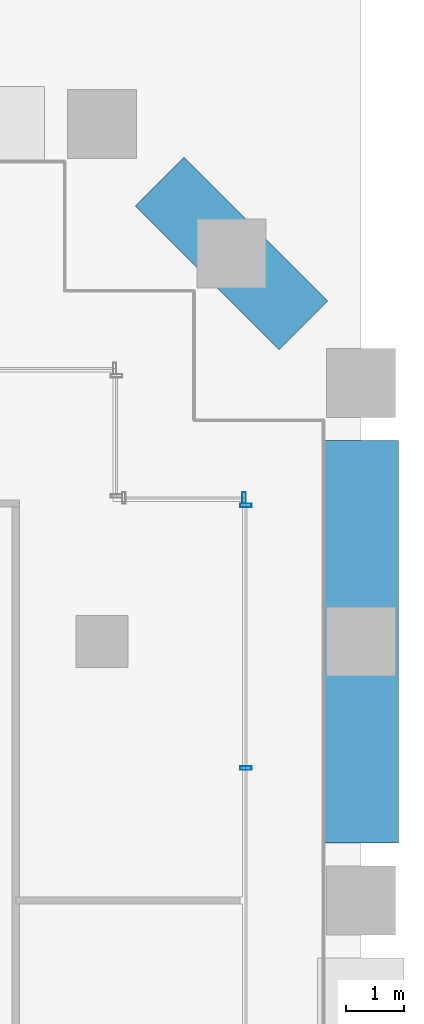
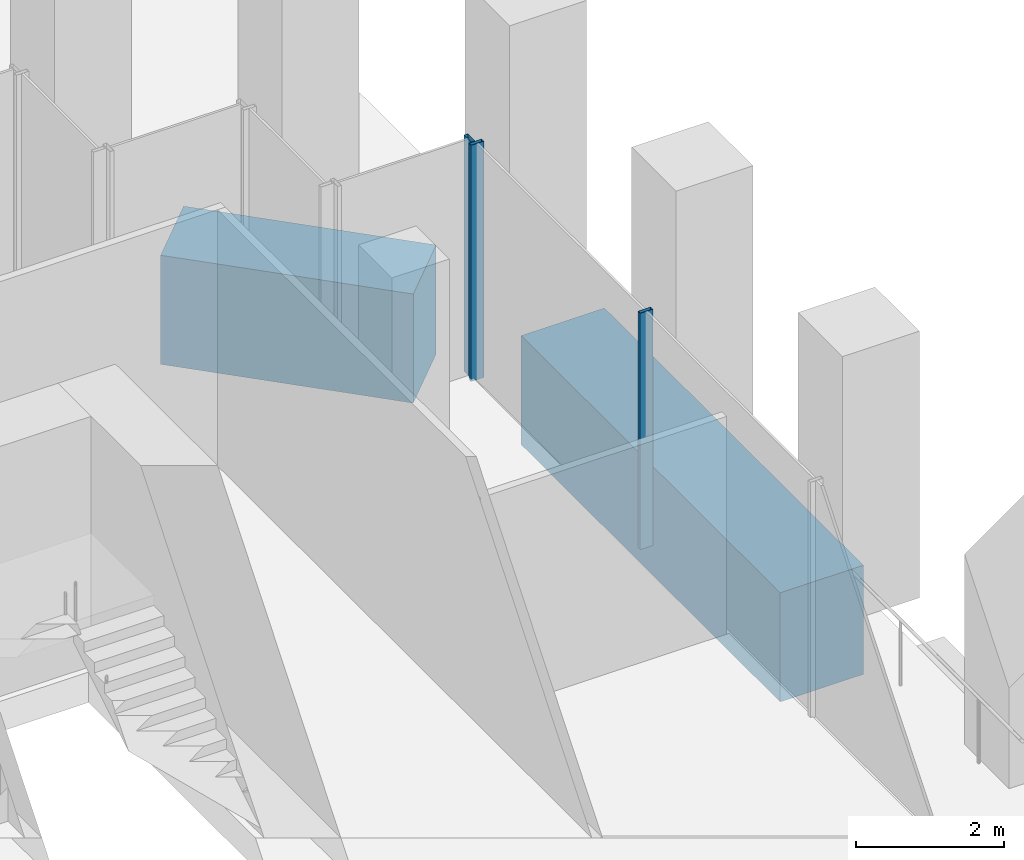
# One storey, part 22 of 32: 3 members, 2 beams, 2 elements without a shape of their own.
"""IFC4 building model written with IfcOpenShell, lengths in metres."""

from ifc_helpers import new_model, si_unit, direction, frame, origin, origin_2d, place, context, subcontext, project, spatial, rectangle, hollow_rectangle, extrude, material, material_profile, profile_set, type_object, element, aggregate, save


model = new_model("IFC4")

# Units and contexts
model_context = context("Model", 3, precision=1e-05, world=origin(), true_north=direction((0.0, 1.0)))
body_context = subcontext(model_context, "Body", "Model", "MODEL_VIEW")
ifc_project = project(units=[si_unit("LENGTHUNIT", "METRE"), si_unit("AREAUNIT", "SQUARE_METRE"), si_unit("VOLUMEUNIT", "CUBIC_METRE"), si_unit("PLANEANGLEUNIT", "RADIAN"), si_unit("MASSUNIT", "GRAM", prefix="KILO")], contexts=[model_context])

# Site, building, storey
site_placement = place(None, origin())
site = spatial("IfcSite", under=ifc_project, at=site_placement, CompositionType="ELEMENT")
building_placement = place(site_placement, origin())
building = spatial("IfcBuilding", under=site, at=building_placement, Name="Altepetl Exchange Towers", CompositionType="ELEMENT")
storey_placement = place(building_placement, frame((0.0, 0.0, 21.0)))
storey = spatial("IfcBuildingStorey", under=building, at=storey_placement, Name="L04", CompositionType="ELEMENT", Elevation=21.0)

# Curtain wall, members
ifc_material_1 = material(Name="Aluminium 6063-T6 glazing", Category="aluminium")
curtain_wall_type = type_object("IfcCurtainWallType", Name="Trading floor glazing system", PredefinedType="NOTDEFINED", material=ifc_material_1)
curtain_wall_1_placement = place(storey_placement, origin())
curtain_wall_1 = element("IfcCurtainWall", 1, at=curtain_wall_1_placement, inside=storey, type_object=curtain_wall_type, Name="CW2 run", PredefinedType="NOTDEFINED")
ifc_material_2 = material(Name="Aluminium 6063-T6", Category="aluminium")
ifc_material_profile_1 = material_profile(ifc_material_2, hollow_rectangle(XDim=0.06005859375, YDim=0.199951171875, WallThickness=0.0029296875, at=origin_2d()), Name="Mullion 60x200 aluminium")
ifc_profile_set_1 = profile_set([ifc_material_profile_1], Name="Aluminium 6063-T6")
member_type = type_object("IfcMemberType", Name="Mullion 60x200 aluminium", PredefinedType="MULLION", material=ifc_profile_set_1)
member_1_placement = place(storey_placement, frame((124.0, 47.300048828125, 0.0), z_axis=(0.0, 0.0, 1.0), x_axis=(0.0, 1.0, 0.0)))
member_1 = element("IfcMember", 2, at=member_1_placement, type_object=member_type, Name="MU2 mullion", PredefinedType="MULLION", context=body_context, shape_type="SweptSolid", body=[
    extrude(hollow_rectangle(XDim=0.06005859375, YDim=0.199951171875, WallThickness=0.0029296875, at=origin_2d()), origin(), (0.0, 0.0, 1.0), 3.89990234375),
])
member_2_placement = place(storey_placement, frame((124.0, 51.8701171875, 0.0), z_axis=(0.0, 0.0, 1.0), x_axis=(0.0, 1.0, 0.0)))
member_2 = element("IfcMember", 3, at=member_2_placement, type_object=member_type, Name="MU2 mullion", PredefinedType="MULLION", context=body_context, shape_type="SweptSolid", body=[
    extrude(hollow_rectangle(XDim=0.06005859375, YDim=0.199951171875, WallThickness=0.0029296875, at=origin_2d()), origin(), (0.0, 0.0, 1.0), 3.89990234375),
])
aggregate(curtain_wall_1, [member_1, member_2])

# Curtain wall, member
curtain_wall_2_placement = place(storey_placement, origin())
curtain_wall_2 = element("IfcCurtainWall", 4, at=curtain_wall_2_placement, inside=storey, type_object=curtain_wall_type, Name="CW2 run", PredefinedType="NOTDEFINED")
member_3_placement = place(storey_placement, frame((123.969970703125, 52.0, 0.0), z_axis=(0.0, 0.0, 1.0), x_axis=(-1.0, 0.0, 0.0)))
member_3 = element("IfcMember", 5, at=member_3_placement, type_object=member_type, Name="MU2 mullion", PredefinedType="MULLION", context=body_context, shape_type="SweptSolid", body=[
    extrude(hollow_rectangle(XDim=0.06005859375, YDim=0.199951171875, WallThickness=0.0029296875, at=origin_2d()), origin(), (0.0, 0.0, 1.0), 3.89990234375),
])
aggregate(curtain_wall_2, [member_3])

# Beams
ifc_material_3 = material(Name="Concrete C60/75", Category="concrete")
ifc_material_profile_2 = material_profile(ifc_material_3, rectangle(XDim=1.199951171875, YDim=1.800048828125, at=origin_2d()), Name="1200 x 1800")
ifc_profile_set_2 = profile_set([ifc_material_profile_2], Name="Concrete C60/75")
beam_type_1 = type_object("IfcBeamType", Name="Transfer girder 1200x1800", PredefinedType="BEAM", material=ifc_profile_set_2)
beam_1_placement = place(storey_placement, frame((122.5, 57.5, -1.35009765625), z_axis=(0.707106781187, -0.707106781187, 0.0), x_axis=(0.707106781187, 0.707106781187, 0.0)))
element("IfcBeam", 6, at=beam_1_placement, inside=storey, type_object=beam_type_1, Name="bm:B:L04:tg10", PredefinedType="BEAM", context=body_context, shape_type="SweptSolid", body=[
    extrude(rectangle(XDim=1.199951171875, YDim=1.800048828125, at=origin_2d()), origin(), (0.0, 0.0, 1.0), 3.53564453125),
])
ifc_material_profile_3 = material_profile(ifc_material_3, rectangle(XDim=1.300048828125, YDim=1.800048828125, at=origin_2d()), Name="1300 x 1800")
ifc_profile_set_3 = profile_set([ifc_material_profile_3], Name="Concrete C60/75")
beam_type_2 = type_object("IfcBeamType", Name="Transfer girder 1300x1800", PredefinedType="BEAM", material=ifc_profile_set_3)
beam_2_placement = place(storey_placement, frame((126.0, 46.0, -1.35009765625), z_axis=(0.0, 1.0, 0.0), x_axis=(-1.0, 0.0, 0.0)))
element("IfcBeam", 7, at=beam_2_placement, inside=storey, type_object=beam_type_2, Name="bm:B:L04:tg03", PredefinedType="BEAM", context=body_context, shape_type="SweptSolid", body=[
    extrude(rectangle(XDim=1.300048828125, YDim=1.800048828125, at=origin_2d()), origin(), (0.0, 0.0, 1.0), 7.0),
])

save(model, "model.ifc")
